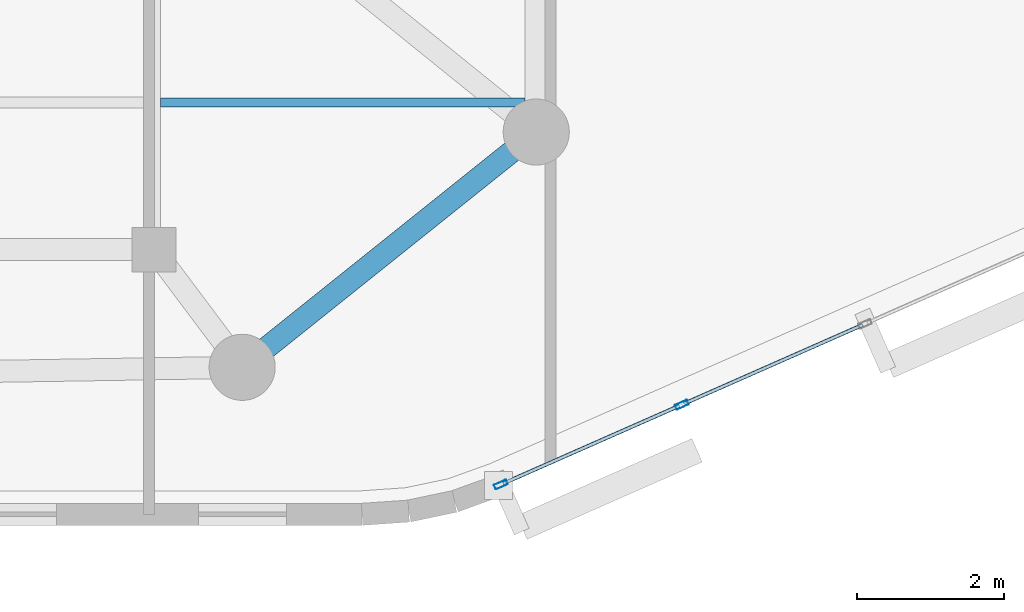
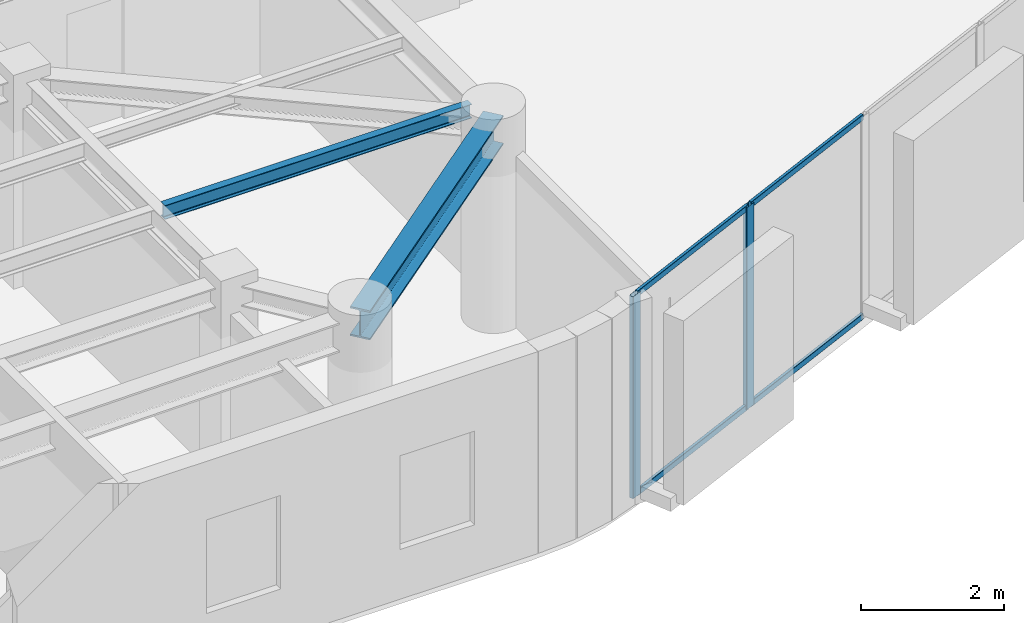
# One storey, part 2 of 14: 6 members, 2 beams, 1 element without a shape of its own.
"""IFC4 building model written with IfcOpenShell, lengths in metres."""

from ifc_helpers import new_model, si_unit, direction, frame, origin, origin_2d, place, context, subcontext, project, spatial, hollow_rectangle, i_section, extrude, material, layer, layer_set, material_profile, profile_set, type_object, element, aggregate, save


model = new_model("IFC4")

# Units and contexts
model_context = context("Model", 3, precision=1e-05, world=origin(), true_north=direction((0.0, 1.0)))
body_context = subcontext(model_context, "Body", "Model", "MODEL_VIEW")
ifc_project = project(units=[si_unit("LENGTHUNIT", "METRE"), si_unit("AREAUNIT", "SQUARE_METRE"), si_unit("VOLUMEUNIT", "CUBIC_METRE"), si_unit("PLANEANGLEUNIT", "RADIAN"), si_unit("MASSUNIT", "GRAM", prefix="KILO")], contexts=[model_context])

# Site, building, storey
site_placement = place(None, origin())
site = spatial("IfcSite", under=ifc_project, at=site_placement, CompositionType="ELEMENT")
building_placement = place(site_placement, origin())
building = spatial("IfcBuilding", under=site, at=building_placement, Name="An Khanh Terracotta Commons", CompositionType="ELEMENT")
storey_placement = place(building_placement, frame((0.0, 0.0, 280.699951171875)))
storey = spatial("IfcBuildingStorey", under=building, at=storey_placement, Name="L73", CompositionType="ELEMENT", Elevation=280.699951171875)

# Beams
ifc_material_1 = material(Name="Steel S355J2", Category="steel")
ifc_material_profile_1 = material_profile(ifc_material_1, i_section(OverallWidth=0.300048828125, OverallDepth=0.5, WebThickness=0.014404296875, FlangeThickness=0.028076171875, FilletRadius=0.027099609375, at=origin_2d()), Name="HEB500")
ifc_profile_set_1 = profile_set([ifc_material_profile_1], Name="Steel S355J2")
beam_type_1 = type_object("IfcBeamType", Name="BM-HEB500", PredefinedType="BEAM", material=ifc_profile_set_1)
beam_1_placement = place(storey_placement, frame((59.39990234375, 12.800048828125, 3.199951171875), z_axis=(0.780873459249, 0.624689235253, 0.0), x_axis=(-0.624689235253, 0.780873459249, 0.0)))
element("IfcBeam", 1, at=beam_1_placement, inside=storey, type_object=beam_type_1, Name="L73 Perimeter Ring Spandrel 2", PredefinedType="BEAM", context=body_context, shape_type="SweptSolid", body=[
    extrude(i_section(OverallWidth=0.300048828125, OverallDepth=0.5, WebThickness=0.014404296875, FlangeThickness=0.028076171875, FilletRadius=0.027099609375, at=origin_2d()), origin(), (0.0, 0.0, 1.0), 5.12255859375),
])
ifc_material_profile_2 = material_profile(ifc_material_1, i_section(OverallWidth=0.1201171875, OverallDepth=0.239990234375, WebThickness=0.006103515625, FlangeThickness=0.009765625, FilletRadius=0.014892578125, at=origin_2d()), Name="IPE240")
ifc_profile_set_2 = profile_set([ifc_material_profile_2], Name="Steel S355J2")
beam_type_2 = type_object("IfcBeamType", Name="BM-IPE240", PredefinedType="JOIST", material=ifc_profile_set_2)
beam_2_placement = place(storey_placement, frame((58.2900390625, 16.39990234375, 3.330078125), z_axis=(1.0, 0.0, 0.0), x_axis=(0.0, 1.0, 0.0)))
element("IfcBeam", 2, at=beam_2_placement, inside=storey, type_object=beam_type_2, Name="L73 Riverfront Composite Joist 1", PredefinedType="JOIST", context=body_context, shape_type="SweptSolid", body=[
    extrude(i_section(OverallWidth=0.1201171875, OverallDepth=0.239990234375, WebThickness=0.006103515625, FlangeThickness=0.009765625, FilletRadius=0.014892578125, at=origin_2d()), origin(), (0.0, 0.0, 1.0), 4.9599609375),
])

# Curtain wall, members
ifc_material_2 = material(Name="Anodised Aluminium 6063-T6", Category="aluminium")
ifc_layer = layer(ifc_material_2, 0.2099609375, Name="Anodised Aluminium 6063-T6")
ifc_layer_set = layer_set([ifc_layer], Name="Anodised Aluminium 6063-T6")
curtain_wall_type = type_object("IfcCurtainWallType", Name="CW-SYS-03", PredefinedType="USERDEFINED", material=ifc_layer_set)
curtain_wall_placement = place(storey_placement, origin())
curtain_wall = element("IfcCurtainWall", 3, at=curtain_wall_placement, inside=storey, type_object=curtain_wall_type, Name="L73 CW-03 Unitised Curtain Wall CW-L73-08", ObjectType="UNITISED CURTAIN WALL", PredefinedType="USERDEFINED")
ifc_material_profile_3 = material_profile(ifc_material_2, hollow_rectangle(XDim=0.070068359375, YDim=0.179931640625, WallThickness=0.00390625, InnerFilletRadius=0.00390625, OuterFilletRadius=0.008056640625, at=origin_2d()), Name="RHS180x70x4")
ifc_profile_set_3 = profile_set([ifc_material_profile_3], Name="Anodised Aluminium 6063-T6")
member_type_1 = type_object("IfcMemberType", Name="CWM-RHS180x70x4", PredefinedType="MULLION", material=ifc_profile_set_3)
member_1_placement = place(storey_placement, frame((62.9189453125, 11.205078125, 0.0), z_axis=(0.0, 0.0, 1.0), x_axis=(-0.403676354285, 0.914901853201, 0.0)))
member_1 = element("IfcMember", 4, at=member_1_placement, type_object=member_type_1, Name="CW-03 mullion 1", PredefinedType="MULLION", context=body_context, shape_type="SweptSolid", body=[
    extrude(hollow_rectangle(XDim=0.070068359375, YDim=0.179931640625, WallThickness=0.00390625, InnerFilletRadius=0.00390625, OuterFilletRadius=0.008056640625, at=origin_2d()), origin(), (0.0, 0.0, 1.0), 3.449951171875),
])
member_2_placement = place(storey_placement, frame((65.37939453125, 12.290771484375, 0.0), z_axis=(0.0, 0.0, 1.0), x_axis=(-0.403676354285, 0.914901853201, 0.0)))
member_2 = element("IfcMember", 5, at=member_2_placement, type_object=member_type_1, Name="CW-03 mullion 2", PredefinedType="MULLION", context=body_context, shape_type="SweptSolid", body=[
    extrude(hollow_rectangle(XDim=0.070068359375, YDim=0.179931640625, WallThickness=0.00390625, InnerFilletRadius=0.00390625, OuterFilletRadius=0.008056640625, at=origin_2d()), origin(), (0.0, 0.0, 1.0), 3.449951171875),
])
ifc_material_profile_4 = material_profile(ifc_material_2, hollow_rectangle(XDim=0.050048828125, YDim=0.10009765625, WallThickness=0.003173828125, InnerFilletRadius=0.003173828125, OuterFilletRadius=0.00634765625, at=origin_2d()), Name="RHS100x50x3.2")
ifc_profile_set_4 = profile_set([ifc_material_profile_4], Name="Anodised Aluminium 6063-T6")
member_type_2 = type_object("IfcMemberType", Name="CWT-RHS100x50x3.2", PredefinedType="USERDEFINED", material=ifc_profile_set_4)
member_3_placement = place(storey_placement, frame((62.950927734375, 11.21923828125, 0.025146484375), z_axis=(0.914903627858, 0.403672332137, 0.0), x_axis=(-0.403672332137, 0.914903627858, 0.0)))
member_3 = element("IfcMember", 6, at=member_3_placement, type_object=member_type_2, Name="CW-03 transom 1.1", ObjectType="TRANSOM", PredefinedType="USERDEFINED", context=body_context, shape_type="SweptSolid", body=[
    extrude(hollow_rectangle(XDim=0.050048828125, YDim=0.10009765625, WallThickness=0.003173828125, InnerFilletRadius=0.003173828125, OuterFilletRadius=0.00634765625, at=origin_2d()), origin(), (0.0, 0.0, 1.0), 2.619384765625),
])
member_4_placement = place(storey_placement, frame((62.950927734375, 11.21923828125, 3.425048828125), z_axis=(0.914903627858, 0.403672332137, 0.0), x_axis=(-0.403672332137, 0.914903627858, 0.0)))
member_4 = element("IfcMember", 7, at=member_4_placement, type_object=member_type_2, Name="CW-03 transom 1.2", ObjectType="TRANSOM", PredefinedType="USERDEFINED", context=body_context, shape_type="SweptSolid", body=[
    extrude(hollow_rectangle(XDim=0.050048828125, YDim=0.10009765625, WallThickness=0.003173828125, InnerFilletRadius=0.003173828125, OuterFilletRadius=0.00634765625, at=origin_2d()), origin(), (0.0, 0.0, 1.0), 2.619384765625),
])
member_5_placement = place(storey_placement, frame((65.41162109375, 12.304931640625, 0.025146484375), z_axis=(0.914896820753, 0.403687759755, 0.0), x_axis=(-0.403687759755, 0.914896820753, 0.0)))
member_5 = element("IfcMember", 8, at=member_5_placement, type_object=member_type_2, Name="CW-03 transom 2.1", ObjectType="TRANSOM", PredefinedType="USERDEFINED", context=body_context, shape_type="SweptSolid", body=[
    extrude(hollow_rectangle(XDim=0.050048828125, YDim=0.10009765625, WallThickness=0.003173828125, InnerFilletRadius=0.003173828125, OuterFilletRadius=0.00634765625, at=origin_2d()), origin(), (0.0, 0.0, 1.0), 2.654296875),
])
member_6_placement = place(storey_placement, frame((65.41162109375, 12.304931640625, 3.425048828125), z_axis=(0.914896820753, 0.403687759755, 0.0), x_axis=(-0.403687759755, 0.914896820753, 0.0)))
member_6 = element("IfcMember", 9, at=member_6_placement, type_object=member_type_2, Name="CW-03 transom 2.2", ObjectType="TRANSOM", PredefinedType="USERDEFINED", context=body_context, shape_type="SweptSolid", body=[
    extrude(hollow_rectangle(XDim=0.050048828125, YDim=0.10009765625, WallThickness=0.003173828125, InnerFilletRadius=0.003173828125, OuterFilletRadius=0.00634765625, at=origin_2d()), origin(), (0.0, 0.0, 1.0), 2.654296875),
])
aggregate(curtain_wall, [member_1, member_2, member_3, member_4, member_5, member_6])

save(model, "model.ifc")
